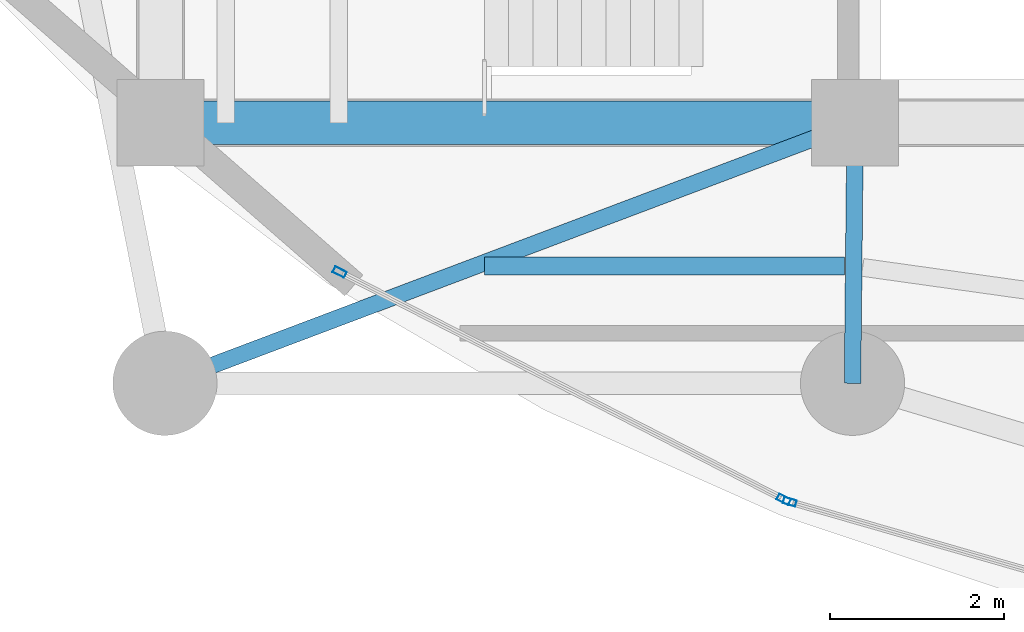
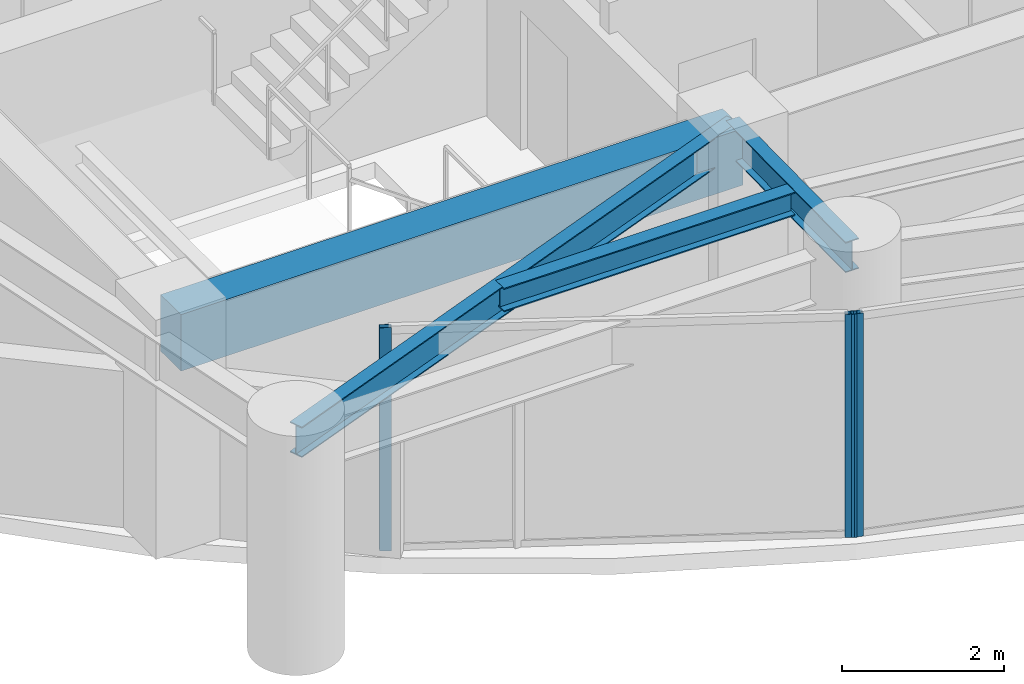
# One storey, part 2 of 28: 4 beams, 3 members, 2 elements without a shape of their own.
"""IFC4 building model written with IfcOpenShell, lengths in metres."""

from ifc_helpers import new_model, si_unit, direction, frame, origin, origin_2d, place, context, subcontext, project, spatial, rectangle, hollow_rectangle, i_section, extrude, material, layer, layer_set, material_profile, profile_set, type_object, element, aggregate, save


model = new_model("IFC4")

# Units and contexts
model_context = context("Model", 3, precision=1e-05, world=origin(), true_north=direction((0.0, 1.0)))
body_context = subcontext(model_context, "Body", "Model", "MODEL_VIEW")
ifc_project = project(units=[si_unit("LENGTHUNIT", "METRE"), si_unit("AREAUNIT", "SQUARE_METRE"), si_unit("VOLUMEUNIT", "CUBIC_METRE"), si_unit("PLANEANGLEUNIT", "RADIAN"), si_unit("MASSUNIT", "GRAM", prefix="KILO")], contexts=[model_context])

# Site, building, storey
site_placement = place(None, origin())
site = spatial("IfcSite", under=ifc_project, at=site_placement, CompositionType="ELEMENT")
building_placement = place(site_placement, origin())
building = spatial("IfcBuilding", under=site, at=building_placement, Name="Kazevale Care Tower and Concert Hall", CompositionType="ELEMENT")
storey_placement = place(building_placement, frame((0.0, 0.0, 120.60009765625)))
storey = spatial("IfcBuildingStorey", under=building, at=storey_placement, Name="L31", CompositionType="ELEMENT", Elevation=120.60009765625)

# Curtain wall, member
ifc_material_1 = material(Name="Aluminium 6063-T6 and Low-E Glass", Category="aluminium")
ifc_layer = layer(ifc_material_1, 0.179931640625)
ifc_layer_set = layer_set([ifc_layer], Name="Aluminium 6063-T6 and Low-E Glass")
curtain_wall_type = type_object("IfcCurtainWallType", Name="Sheltered Concave Balcony Curtain Wall CW-5", PredefinedType="NOTDEFINED", material=ifc_layer_set)
curtain_wall_1_placement = place(storey_placement, origin())
curtain_wall_1 = element("IfcCurtainWall", 1, at=curtain_wall_1_placement, inside=storey, type_object=curtain_wall_type, Name="cw:L31:f08", PredefinedType="NOTDEFINED")
ifc_material_2 = material(Name="Aluminium 6063-T6", Category="aluminium")
ifc_material_profile_1 = material_profile(ifc_material_2, hollow_rectangle(XDim=0.074951171875, YDim=0.14990234375, WallThickness=0.00390625, at=origin_2d()), Name="ALU75x150x4")
ifc_profile_set_1 = profile_set([ifc_material_profile_1], Name="Aluminium 6063-T6")
member_type = type_object("IfcMemberType", Name="CW-5 Mullion ALU75x150x4", PredefinedType="MULLION", material=ifc_profile_set_1)
member_1_placement = place(storey_placement, frame((29.2470703125, 19.234619140625, 0.0), z_axis=(0.0, 0.0, 1.0), x_axis=(-0.276290733172, -0.961074102639, 0.0)))
member_1 = element("IfcMember", 2, at=member_1_placement, type_object=member_type, Name="CW-5 mullion 2", PredefinedType="MULLION", context=body_context, shape_type="SweptSolid", body=[
    extrude(hollow_rectangle(XDim=0.074951171875, YDim=0.14990234375, WallThickness=0.00390625, at=origin_2d()), origin(), (0.0, 0.0, 1.0), 3.35986328125),
])
aggregate(curtain_wall_1, [member_1])

# Curtain wall, members
curtain_wall_2_placement = place(storey_placement, origin())
curtain_wall_2 = element("IfcCurtainWall", 3, at=curtain_wall_2_placement, inside=storey, type_object=curtain_wall_type, Name="cw:L31:f09", PredefinedType="NOTDEFINED")
member_2_placement = place(storey_placement, frame((29.177734375, 19.26220703125, 0.0), z_axis=(0.0, 0.0, 1.0), x_axis=(-0.455713236575, -0.890126646051, 0.0)))
member_2 = element("IfcMember", 4, at=member_2_placement, type_object=member_type, Name="CW-5 mullion 1", PredefinedType="MULLION", context=body_context, shape_type="SweptSolid", body=[
    extrude(hollow_rectangle(XDim=0.074951171875, YDim=0.14990234375, WallThickness=0.00390625, at=origin_2d()), origin(), (0.0, 0.0, 1.0), 3.35986328125),
])
member_3_placement = place(storey_placement, frame((24.0625, 21.880859375, 0.0), z_axis=(0.0, 0.0, 1.0), x_axis=(-0.455713236575, -0.890126646051, 0.0)))
member_3 = element("IfcMember", 5, at=member_3_placement, type_object=member_type, Name="CW-5 mullion 2", PredefinedType="MULLION", context=body_context, shape_type="SweptSolid", body=[
    extrude(hollow_rectangle(XDim=0.074951171875, YDim=0.14990234375, WallThickness=0.00390625, at=origin_2d()), origin(), (0.0, 0.0, 1.0), 3.35986328125),
])
aggregate(curtain_wall_2, [member_2, member_3])

# Beams
ifc_material_3 = material(Name="Concrete C60", Category="concrete")
ifc_material_profile_2 = material_profile(ifc_material_3, rectangle(XDim=0.5, YDim=0.85009765625, at=origin_2d()), Name="RC-B500x850")
ifc_profile_set_2 = profile_set([ifc_material_profile_2], Name="Concrete C60")
beam_type_1 = type_object("IfcBeamType", Name="Core Coupling Beam RC500x850", PredefinedType="LINTEL", material=ifc_profile_set_2)
beam_1_placement = place(storey_placement, frame((22.0, 23.60009765625, 2.934814453125), z_axis=(1.0, 0.0, 0.0), x_axis=(0.0, 1.0, 0.0)))
element("IfcBeam", 6, at=beam_1_placement, inside=storey, type_object=beam_type_1, Name="beam:L31:coretie:1", PredefinedType="LINTEL", context=body_context, shape_type="SweptSolid", body=[
    extrude(rectangle(XDim=0.5, YDim=0.85009765625, at=origin_2d()), origin(), (0.0, 0.0, 1.0), 8.0),
])
ifc_material_4 = material(Name="Steel ASTM A572 Gr 50", Category="steel")
ifc_material_profile_3 = material_profile(ifc_material_4, i_section(OverallWidth=0.19091796875, OverallDepth=0.4599609375, WebThickness=0.010009765625, FlangeThickness=0.01611328125, at=origin_2d()), Name="W460x82")
ifc_profile_set_3 = profile_set([ifc_material_profile_3], Name="Steel ASTM A572 Gr 50")
beam_type_2 = type_object("IfcBeamType", Name="Radial Floor Beam W460x82", PredefinedType="BEAM", material=ifc_profile_set_3)
beam_2_placement = place(storey_placement, frame((30.0, 23.60009765625, 3.1298828125), z_axis=(-0.935601002663, -0.353059150592, 0.0), x_axis=(0.353059150592, -0.935601002663, 0.0)))
element("IfcBeam", 7, at=beam_2_placement, inside=storey, type_object=beam_type_2, Name="beam:L31:rad:10", PredefinedType="BEAM", context=body_context, shape_type="SweptSolid", body=[
    extrude(i_section(OverallWidth=0.19091796875, OverallDepth=0.4599609375, WebThickness=0.010009765625, FlangeThickness=0.01611328125, at=origin_2d()), origin(), (0.0, 0.0, 1.0), 8.4970703125),
])
beam_3_placement = place(storey_placement, frame((30.0, 23.60009765625, 3.1298828125), z_axis=(-0.010009264196, -0.99994990606, 0.0), x_axis=(0.99994990606, -0.010009264196, 0.0)))
element("IfcBeam", 8, at=beam_3_placement, inside=storey, type_object=beam_type_2, Name="beam:L31:rad:11", PredefinedType="BEAM", context=body_context, shape_type="SweptSolid", body=[
    extrude(i_section(OverallWidth=0.19091796875, OverallDepth=0.4599609375, WebThickness=0.010009765625, FlangeThickness=0.01611328125, at=origin_2d()), origin(), (0.0, 0.0, 1.0), 3.000244140625),
])
ifc_material_profile_4 = material_profile(ifc_material_4, i_section(OverallWidth=0.205078125, OverallDepth=0.35400390625, WebThickness=0.009521484375, FlangeThickness=0.016845703125, at=origin_2d()), Name="W360x79")
ifc_profile_set_4 = profile_set([ifc_material_profile_4], Name="Steel ASTM A572 Gr 50")
beam_type_3 = type_object("IfcBeamType", Name="Secondary Floor Joist W360x79", PredefinedType="JOIST", material=ifc_profile_set_4)
beam_4_placement = place(storey_placement, frame((25.73291015625, 21.949951171875, 3.182861328125), z_axis=(1.0, 0.0, 0.0), x_axis=(0.0, 1.0, 0.0)))
element("IfcBeam", 9, at=beam_4_placement, inside=storey, type_object=beam_type_3, Name="beam:L31:joist:10", PredefinedType="JOIST", context=body_context, shape_type="SweptSolid", body=[
    extrude(i_section(OverallWidth=0.205078125, OverallDepth=0.35400390625, WebThickness=0.009521484375, FlangeThickness=0.016845703125, at=origin_2d()), origin(), (0.0, 0.0, 1.0), 4.14501953125),
])

save(model, "model.ifc")
